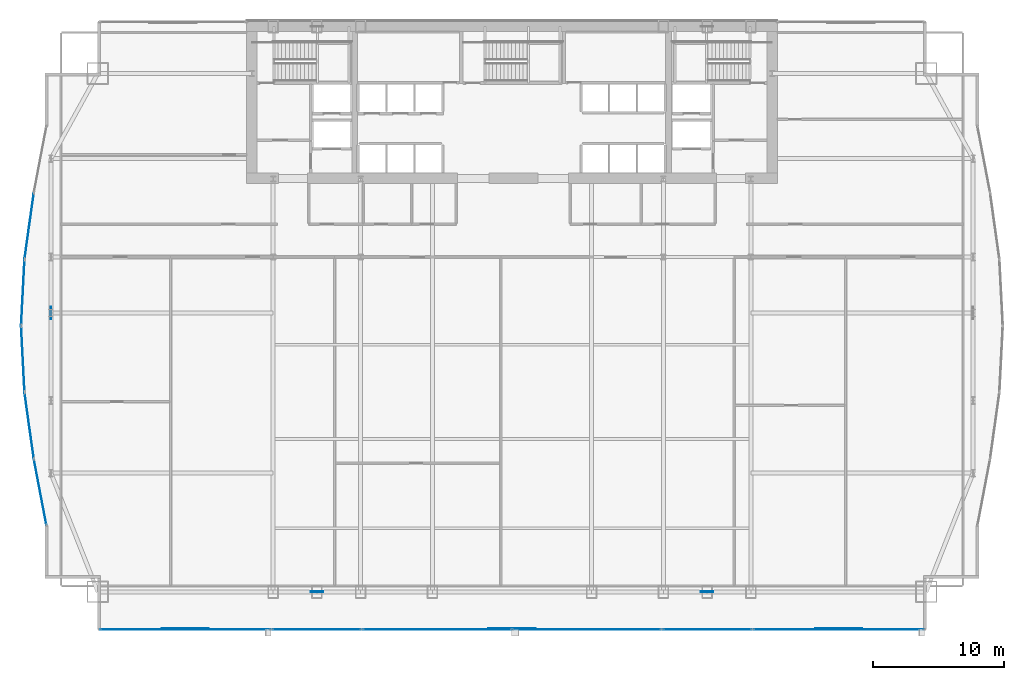
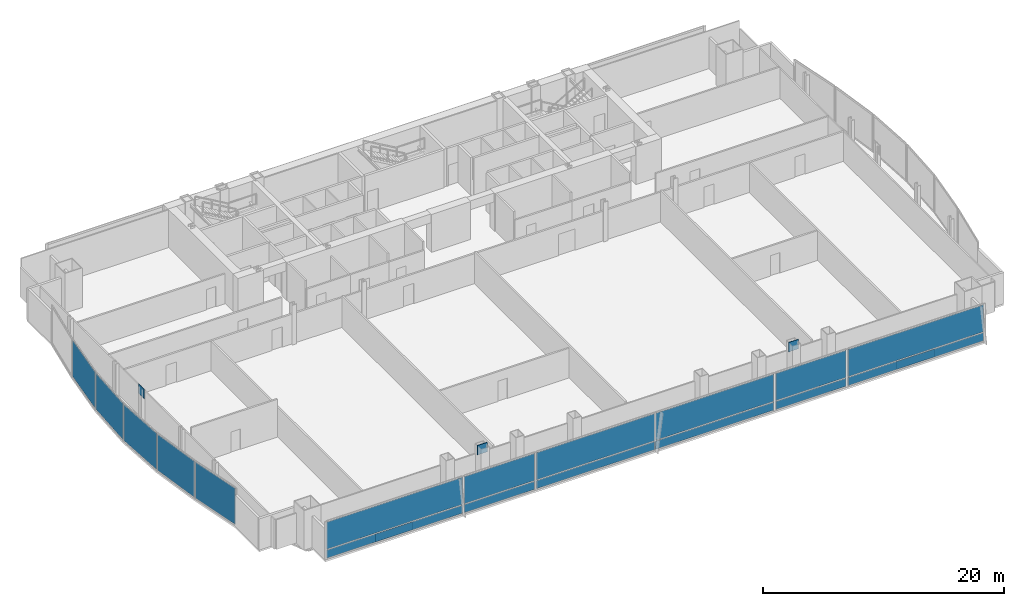
# One storey, part 27 of 37: 23 plates, 10 elements without a shape of their own.
"""IFC4 building model written with IfcOpenShell, lengths in metres."""

import ifcopenshell
import ifcopenshell.guid

model = None  # the IFC model being written
_history = None  # IfcOwnerHistory: only IFC2X3 demands one
_inside = {}  # id of a spatial element -> (the spatial element, [elements in it])
_under = {}  # id of a project, library or spatial element -> (it, [spatial elements below it])
_declared = {}  # id of a project -> (the project, [libraries it declares])
_typed = {}  # id of a type object -> (the type object, [elements of that type])
_made_of = {}  # id of a material, layer set ... -> (it, [elements and type objects made of it])


def new_model(schema):
    """Start an empty IFC model of exactly this schema.

    Asked for "IFC4X3", IfcOpenShell would pick the latest addendum, in which some entities
    have other attributes; the version numbers below select the first issue.
    IFC2X3 requires an IfcOwnerHistory on every rooted entity: one is made here for all.
    """
    global model, _history
    if schema == "IFC4X3":
        model = ifcopenshell.file(schema_version=(4, 3, 0, 0))
    else:
        model = ifcopenshell.file(schema=schema)
    _inside.clear()
    _under.clear()
    _declared.clear()
    _typed.clear()
    _made_of.clear()
    _history = None
    if model.schema == "IFC2X3":
        org = make("IfcOrganization", Name="unknown")
        user = make(
            "IfcPersonAndOrganization",
            ThePerson=make("IfcPerson", FamilyName="unknown"),
            TheOrganization=org,
        )
        app = make(
            "IfcApplication",
            ApplicationDeveloper=org,
            Version="unknown",
            ApplicationFullName="unknown",
            ApplicationIdentifier="unknown",
        )
        _history = make(
            "IfcOwnerHistory",
            OwningUser=user,
            OwningApplication=app,
            ChangeAction="ADDED",
            CreationDate=0,
        )
    return model


def make(cls, **values):
    """One entity of the class cls with the attributes given. An attribute that is None is left unset."""
    return model.create_entity(
        cls, **{name: value for name, value in values.items() if value is not None}
    )


def rooted(cls, **values):
    """An entity with a GlobalId (a new one), such as an element, a storey or a relation."""
    return make(cls, GlobalId=ifcopenshell.guid.new(), OwnerHistory=_history, **values)


def si_unit(unit_type, name, prefix=None):
    """IfcSIUnit, for example si_unit("LENGTHUNIT", "METRE", prefix="MILLI")."""
    return make("IfcSIUnit", UnitType=unit_type, Prefix=prefix, Name=name)


def assignment(units):
    """IfcUnitAssignment: the units of a project."""
    return None if units is None else make("IfcUnitAssignment", Units=units)


def point(xyz):
    """IfcCartesianPoint."""
    return None if xyz is None else make("IfcCartesianPoint", Coordinates=xyz)


def direction(xyz):
    """IfcDirection."""
    return None if xyz is None else make("IfcDirection", DirectionRatios=xyz)


def frame(location, z_axis=None, x_axis=None):
    """IfcAxis2Placement3D, a coordinate frame: its origin and axes. An axis left out is left unset."""
    return make(
        "IfcAxis2Placement3D",
        Location=point(location),
        Axis=direction(z_axis),
        RefDirection=direction(x_axis),
    )


def frame_2d(location, x_axis=None):
    """IfcAxis2Placement2D, a coordinate frame in the plane: its origin and x axis."""
    return make(
        "IfcAxis2Placement2D", Location=point(location), RefDirection=direction(x_axis)
    )


def origin():
    """The frame at (0, 0, 0) with its axes left unset."""
    return frame((0.0, 0.0, 0.0))


def origin_2d():
    """The frame at (0, 0) in the plane with its x axis left unset."""
    return frame_2d((0.0, 0.0))


def place(relative_to, where):
    """IfcLocalPlacement: puts the frame where relative to a parent placement (None: the world)."""
    return make(
        "IfcLocalPlacement", PlacementRelTo=relative_to, RelativePlacement=where
    )


def context(
    kind, dimensions, precision=None, world=None, true_north=None, identifier=None
):
    """IfcGeometricRepresentationContext, for example the 3D "Model" context."""
    return make(
        "IfcGeometricRepresentationContext",
        ContextIdentifier=identifier,
        ContextType=kind,
        CoordinateSpaceDimension=dimensions,
        Precision=precision,
        WorldCoordinateSystem=world,
        TrueNorth=true_north,
    )


def subcontext(parent, identifier, kind, view, scale=None):
    """IfcGeometricRepresentationSubContext, for example "Body" below "Model"."""
    return make(
        "IfcGeometricRepresentationSubContext",
        ContextIdentifier=identifier,
        ContextType=kind,
        ParentContext=parent,
        TargetScale=scale,
        TargetView=view,
    )


def project(units=None, contexts=None):
    """IfcProject with its units and contexts."""
    return rooted(
        "IfcProject",
        Name="project",
        RepresentationContexts=contexts,
        UnitsInContext=assignment(units),
    )


def spatial(cls, under=None, at=None, **own):
    """A site, building, storey or space (cls), placed at a placement, below another one or the project."""
    s = rooted(cls, ObjectPlacement=at, **own)
    if under is not None:
        _under.setdefault(under.id(), (under, []))[1].append(s)
    return s


def profile(cls, at=None, kind="AREA", **sizes):
    """A parametric profile (cls). Its sizes go by their IFC names, for example OverallWidth=200.0."""
    return make(cls, ProfileType=kind, Position=at, **sizes)


def rectangle(**sizes):
    """IfcRectangleProfileDef."""
    return profile("IfcRectangleProfileDef", **sizes)


def extrude(swept, where, along, depth):
    """IfcExtrudedAreaSolid: the profile swept, set in the frame where, extruded along a direction by depth."""
    return make(
        "IfcExtrudedAreaSolid",
        SweptArea=swept,
        Position=where,
        ExtrudedDirection=direction(along),
        Depth=depth,
    )


def shape(context_of_items, identifier, shape_type, items):
    """IfcShapeRepresentation: the items that make up one representation, for example the "Body"."""
    return make(
        "IfcShapeRepresentation",
        ContextOfItems=context_of_items,
        RepresentationIdentifier=identifier,
        RepresentationType=shape_type,
        Items=items,
    )


def material(Name=None, Category=None):
    """IfcMaterial."""
    return make("IfcMaterial", Name=Name, Category=Category)


def layer(
    of_material, thickness, ventilated=None, Name=None, Category=None, Priority=None
):
    """IfcMaterialLayer: one layer of a wall or slab, of a material (None: an air gap)."""
    return make(
        "IfcMaterialLayer",
        Material=of_material,
        LayerThickness=thickness,
        IsVentilated=ventilated,
        Name=Name,
        Category=Category,
        Priority=Priority,
    )


def layer_set(layers, Name=None):
    """IfcMaterialLayerSet."""
    return make("IfcMaterialLayerSet", MaterialLayers=layers, LayerSetName=Name)


def made_of(thing, what):
    """Note that an element or type object is made of a material, layer set ...; save() writes the relation."""
    if what is not None:
        _made_of.setdefault(what.id(), (what, []))[1].append(thing)
    return thing


def type_object(cls, material=None, **own):
    """A type object (cls), such as IfcWallType, which elements share."""
    return made_of(rooted(cls, **own), material)


def element(
    cls,
    number,
    at=None,
    inside=None,
    cuts=None,
    type_object=None,
    material=None,
    context=None,
    identifier="Body",
    shape_type=None,
    held_by="IfcProductDefinitionShape",
    body=None,
    shapes=None,
    **own,
):
    """One element of the class cls, such as IfcWall. Its Tag is "e" and its number.

    at: its placement. inside: the storey or other place that contains it. cuts: it is an
    opening in that element (IfcRelVoidsElement). A single representation is given by context,
    identifier, shape_type and body (its items); several are given by shapes. held_by: the class
    of the entity that holds the representations. save() writes the other relations.
    """
    e = rooted(cls, Tag="e%d" % number, ObjectPlacement=at, **own)
    if body is not None:
        shapes = [shape(context, identifier, shape_type, body)]
    if shapes is not None:
        e.Representation = make(held_by, Representations=shapes)
    if inside is not None:
        _inside.setdefault(inside.id(), (inside, []))[1].append(e)
    if cuts is not None:
        rooted(
            "IfcRelVoidsElement", RelatingBuildingElement=cuts, RelatedOpeningElement=e
        )
    if type_object is not None:
        _typed.setdefault(type_object.id(), (type_object, []))[1].append(e)
    return made_of(e, material)


def aggregate(whole, parts):
    """IfcRelAggregates: a whole, such as a stair, and the parts it consists of."""
    return rooted("IfcRelAggregates", RelatingObject=whole, RelatedObjects=parts)


def save(model, path):
    """Write the relations noted so far, then the file.

    IfcRelAggregates (storeys below a building ...), IfcRelContainedInSpatialStructure (elements
    in a storey), IfcRelDefinesByType, IfcRelAssociatesMaterial and IfcRelDeclares: one each for
    every whole, place, type object, material and project.
    """
    for whole, parts in _under.values():
        aggregate(whole, parts)
    for where, things in _inside.values():
        rooted(
            "IfcRelContainedInSpatialStructure",
            RelatedElements=things,
            RelatingStructure=where,
        )
    for kind, things in _typed.values():
        rooted("IfcRelDefinesByType", RelatedObjects=things, RelatingType=kind)
    for what, things in _made_of.values():
        rooted("IfcRelAssociatesMaterial", RelatedObjects=things, RelatingMaterial=what)
    for by, libraries in _declared.values():
        rooted("IfcRelDeclares", RelatingContext=by, RelatedDefinitions=libraries)
    model.write(path)


model = new_model("IFC4")

# Units and contexts
model_context = context("Model", 3, precision=1e-05, world=origin(), true_north=direction((0.0, 1.0)))
body_context = subcontext(model_context, "Body", "Model", "MODEL_VIEW")
ifc_project = project(units=[si_unit("LENGTHUNIT", "METRE"), si_unit("AREAUNIT", "SQUARE_METRE"), si_unit("VOLUMEUNIT", "CUBIC_METRE"), si_unit("PLANEANGLEUNIT", "RADIAN"), si_unit("MASSUNIT", "GRAM", prefix="KILO")], contexts=[model_context])

# Site, building, storey
site_placement = place(None, origin())
site = spatial("IfcSite", under=ifc_project, at=site_placement, CompositionType="ELEMENT")
building_placement = place(site_placement, origin())
building = spatial("IfcBuilding", under=site, at=building_placement, Name="Khoronbel Lancet Exchange", CompositionType="ELEMENT")
storey_placement = place(building_placement, frame((0.0, 0.0, 45.800048828125)))
storey = spatial("IfcBuildingStorey", under=building, at=storey_placement, Name="L10", CompositionType="ELEMENT", Elevation=45.800048828125)

# Curtain wall, plate
ifc_material_1 = material(Name="Low-E Solar Control Insulating Glass", Category="glass")
curtain_wall_type_1 = type_object("IfcCurtainWallType", Name="CW-4", PredefinedType="NOTDEFINED", material=ifc_material_1)
curtain_wall_1_placement = place(storey_placement, origin())
curtain_wall_1 = element("IfcCurtainWall", 1, at=curtain_wall_1_placement, inside=storey, type_object=curtain_wall_type_1, Name="Unitised curtain wall CW-L10-E05", PredefinedType="NOTDEFINED")
ifc_material_2 = material(Name="Bronze-Anodised Aluminium 6063-T6", Category="aluminium")
ifc_layer_1 = layer(ifc_material_2, 0.050048828125, Name="Bronze-Anodised Aluminium 6063-T6")
ifc_layer_set_1 = layer_set([ifc_layer_1], Name="Bronze-Anodised Aluminium 6063-T6")
plate_type_1 = type_object("IfcPlateType", Name="PLT-CSP1", PredefinedType="SHEET", material=ifc_layer_set_1)
plate_1_placement = place(storey_placement, frame((-0.3857421875, 22.836669921875, 0.0849609375), z_axis=(0.0, 0.0, 1.0), x_axis=(-0.138340202733, 0.990384767809, 0.0)))
plate_1 = element("IfcPlate", 2, at=plate_1_placement, type_object=plate_type_1, Name="CW4 panel 1.1", PredefinedType="CURTAIN_PANEL", context=body_context, shape_type="SweptSolid", body=[
    extrude(rectangle(XDim=4.9765625, YDim=0.0380859375, at=origin_2d()), origin(), (0.0, 0.0, 1.0), 3.64990234375),
])
aggregate(curtain_wall_1, [plate_1])

curtain_wall_2_placement = place(storey_placement, origin())
curtain_wall_2 = element("IfcCurtainWall", 3, at=curtain_wall_2_placement, inside=storey, type_object=curtain_wall_type_1, Name="Unitised curtain wall CW-L10-E06", PredefinedType="NOTDEFINED")
plate_2_placement = place(storey_placement, frame((-0.8701171875, 27.91259765625, 0.0849609375), z_axis=(0.0, 0.0, 1.0), x_axis=(-0.051068297252, 0.998695163208, 0.0)))
plate_2 = element("IfcPlate", 4, at=plate_2_placement, type_object=plate_type_1, Name="CW4 panel 1.1", PredefinedType="CURTAIN_PANEL", context=body_context, shape_type="SweptSolid", body=[
    extrude(rectangle(XDim=4.931396484375, YDim=0.0380859375, at=origin_2d()), origin(), (0.0, 0.0, 1.0), 3.64990234375),
])
aggregate(curtain_wall_2, [plate_2])

curtain_wall_3_placement = place(storey_placement, origin())
curtain_wall_3 = element("IfcCurtainWall", 5, at=curtain_wall_3_placement, inside=storey, type_object=curtain_wall_type_1, Name="Unitised curtain wall CW-L10-E07", PredefinedType="NOTDEFINED")
plate_3_placement = place(storey_placement, frame((-0.8701171875, 32.9873046875, 0.0849609375), z_axis=(0.0, 0.0, 1.0), x_axis=(0.051068297252, 0.998695163208, 0.0)))
plate_3 = element("IfcPlate", 6, at=plate_3_placement, type_object=plate_type_1, Name="CW4 panel 1.1", PredefinedType="CURTAIN_PANEL", context=body_context, shape_type="SweptSolid", body=[
    extrude(rectangle(XDim=4.931396484375, YDim=0.0380859375, at=origin_2d()), origin(), (0.0, 0.0, 1.0), 3.64990234375),
])
aggregate(curtain_wall_3, [plate_3])

curtain_wall_4_placement = place(storey_placement, origin())
curtain_wall_4 = element("IfcCurtainWall", 7, at=curtain_wall_4_placement, inside=storey, type_object=curtain_wall_type_1, Name="Unitised curtain wall CW-L10-E08", PredefinedType="NOTDEFINED")
plate_4_placement = place(storey_placement, frame((-0.3857421875, 38.0634765625, 0.0849609375), z_axis=(0.0, 0.0, 1.0), x_axis=(0.138340202733, 0.990384767809, 0.0)))
plate_4 = element("IfcPlate", 8, at=plate_4_placement, type_object=plate_type_1, Name="CW4 panel 1.1", PredefinedType="CURTAIN_PANEL", context=body_context, shape_type="SweptSolid", body=[
    extrude(rectangle(XDim=4.9765625, YDim=0.0380859375, at=origin_2d()), origin(), (0.0, 0.0, 1.0), 3.64990234375),
])
aggregate(curtain_wall_4, [plate_4])

curtain_wall_type_2 = type_object("IfcCurtainWallType", Name="CW-1", PredefinedType="NOTDEFINED", material=ifc_material_1)
curtain_wall_5_placement = place(storey_placement, origin())
curtain_wall_5 = element("IfcCurtainWall", 9, at=curtain_wall_5_placement, inside=storey, type_object=curtain_wall_type_2, Name="Unitised curtain wall CW-L10-SWV", PredefinedType="NOTDEFINED")
plate_5_placement = place(storey_placement, frame((11.52001953125, 7.35009765625, 0.0498046875), z_axis=(0.0, 0.0, 1.0), x_axis=(1.0, 0.0, 0.0)))
plate_5 = element("IfcPlate", 10, at=plate_5_placement, type_object=plate_type_1, Name="Insulated bronze spandrel cassette CW-L10-SWV", PredefinedType="SHEET", context=body_context, shape_type="SweptSolid", body=[
    extrude(rectangle(XDim=3.60009765625, YDim=0.050048828125, at=origin_2d()), origin(), (0.0, 0.0, 1.0), 0.800048828125),
])

# Curtain wall, plates
curtain_wall_6_placement = place(storey_placement, origin())
curtain_wall_6 = element("IfcCurtainWall", 11, at=curtain_wall_6_placement, inside=storey, type_object=curtain_wall_type_2, Name="Unitised curtain wall CW-L10-SWB", PredefinedType="NOTDEFINED")
plate_6_placement = place(storey_placement, frame((21.550048828125, 7.2900390625, 0.0849609375), z_axis=(0.0, 0.0, 1.0), x_axis=(1.0, 0.0, 0.0)))
plate_6 = element("IfcPlate", 12, at=plate_6_placement, type_object=plate_type_1, Name="CW1 panel 1.1", PredefinedType="CURTAIN_PANEL", context=body_context, shape_type="SweptSolid", body=[
    extrude(rectangle(XDim=6.72998046875, YDim=0.0380859375, at=origin_2d()), origin(), (0.0, 0.0, 1.0), 0.822509765625),
])
plate_7_placement = place(storey_placement, frame((21.550048828125, 7.2900390625, 0.99267578125), z_axis=(0.0, 0.0, 1.0), x_axis=(1.0, 0.0, 0.0)))
plate_7 = element("IfcPlate", 13, at=plate_7_placement, type_object=plate_type_1, Name="CW1 panel 1.2", PredefinedType="CURTAIN_PANEL", context=body_context, shape_type="SweptSolid", body=[
    extrude(rectangle(XDim=6.72998046875, YDim=0.0380859375, at=origin_2d()), origin(), (0.0, 0.0, 1.0), 2.742431640625),
])
aggregate(curtain_wall_6, [plate_6, plate_7])

# Curtain wall, plate
curtain_wall_7_placement = place(storey_placement, origin())
curtain_wall_7 = element("IfcCurtainWall", 14, at=curtain_wall_7_placement, inside=storey, type_object=curtain_wall_type_2, Name="Unitised curtain wall CW-L10-SCV", PredefinedType="NOTDEFINED")
plate_8_placement = place(storey_placement, frame((36.449951171875, 7.35009765625, 0.0498046875), z_axis=(0.0, 0.0, 1.0), x_axis=(1.0, 0.0, 0.0)))
plate_8 = element("IfcPlate", 15, at=plate_8_placement, type_object=plate_type_1, Name="Insulated bronze spandrel cassette CW-L10-SCV", PredefinedType="SHEET", context=body_context, shape_type="SweptSolid", body=[
    extrude(rectangle(XDim=3.60009765625, YDim=0.050048828125, at=origin_2d()), origin(), (0.0, 0.0, 1.0), 0.800048828125),
])

# Curtain wall, plates
curtain_wall_8_placement = place(storey_placement, origin())
curtain_wall_8 = element("IfcCurtainWall", 16, at=curtain_wall_8_placement, inside=storey, type_object=curtain_wall_type_2, Name="Unitised curtain wall CW-L10-SEB", PredefinedType="NOTDEFINED")
plate_9_placement = place(storey_placement, frame((51.35009765625, 7.2900390625, 0.0849609375), z_axis=(0.0, 0.0, 1.0), x_axis=(1.0, 0.0, 0.0)))
plate_9 = element("IfcPlate", 17, at=plate_9_placement, type_object=plate_type_1, Name="CW1 panel 1.1", PredefinedType="CURTAIN_PANEL", context=body_context, shape_type="SweptSolid", body=[
    extrude(rectangle(XDim=6.72998046875, YDim=0.0380859375, at=origin_2d()), origin(), (0.0, 0.0, 1.0), 0.822509765625),
])
plate_10_placement = place(storey_placement, frame((51.35009765625, 7.2900390625, 0.99267578125), z_axis=(0.0, 0.0, 1.0), x_axis=(1.0, 0.0, 0.0)))
plate_10 = element("IfcPlate", 18, at=plate_10_placement, type_object=plate_type_1, Name="CW1 panel 1.2", PredefinedType="CURTAIN_PANEL", context=body_context, shape_type="SweptSolid", body=[
    extrude(rectangle(XDim=6.72998046875, YDim=0.0380859375, at=origin_2d()), origin(), (0.0, 0.0, 1.0), 2.742431640625),
])
aggregate(curtain_wall_8, [plate_9, plate_10])

# Curtain wall, plate
curtain_wall_9_placement = place(storey_placement, origin())
curtain_wall_9 = element("IfcCurtainWall", 19, at=curtain_wall_9_placement, inside=storey, type_object=curtain_wall_type_2, Name="Unitised curtain wall CW-L10-SEV", PredefinedType="NOTDEFINED")
plate_11_placement = place(storey_placement, frame((61.3798828125, 7.35009765625, 0.0498046875), z_axis=(0.0, 0.0, 1.0), x_axis=(1.0, 0.0, 0.0)))
plate_11 = element("IfcPlate", 20, at=plate_11_placement, type_object=plate_type_1, Name="Insulated bronze spandrel cassette CW-L10-SEV", PredefinedType="SHEET", context=body_context, shape_type="SweptSolid", body=[
    extrude(rectangle(XDim=3.60009765625, YDim=0.050048828125, at=origin_2d()), origin(), (0.0, 0.0, 1.0), 0.800048828125),
])

# Plate
ifc_layer_2 = layer(ifc_material_1, 0.035888671875, Name="Low-E Solar Control Insulating Glass")
ifc_layer_set_2 = layer_set([ifc_layer_2], Name="Low-E Solar Control Insulating Glass")
plate_type_2 = type_object("IfcPlateType", Name="PLT-CWP1", PredefinedType="CURTAIN_PANEL", material=ifc_layer_set_2)
plate_12_placement = place(storey_placement, frame((11.52001953125, 7.2900390625, 0.0849609375), z_axis=(0.0, 0.0, 1.0), x_axis=(1.0, 0.0, 0.0)))
plate_12 = element("IfcPlate", 21, at=plate_12_placement, type_object=plate_type_2, Name="CW1 panel 1.1", PredefinedType="CURTAIN_PANEL", context=body_context, shape_type="SweptSolid", body=[
    extrude(rectangle(XDim=12.989990234375, YDim=0.0380859375, at=origin_2d()), origin(), (0.0, 0.0, 1.0), 0.822509765625),
])

plate_13_placement = place(storey_placement, frame((11.52001953125, 7.2900390625, 0.99267578125), z_axis=(0.0, 0.0, 1.0), x_axis=(1.0, 0.0, 0.0)))
plate_13 = element("IfcPlate", 22, at=plate_13_placement, type_object=plate_type_2, Name="CW1 panel 1.2", PredefinedType="CURTAIN_PANEL", context=body_context, shape_type="SweptSolid", body=[
    extrude(rectangle(XDim=12.989990234375, YDim=0.0380859375, at=origin_2d()), origin(), (0.0, 0.0, 1.0), 2.742431640625),
])

aggregate(curtain_wall_5, [plate_12, plate_13, plate_5])

plate_14_placement = place(storey_placement, frame((30.746337890625, 7.2900390625, 0.0849609375), z_axis=(0.0, 0.0, 1.0), x_axis=(1.0, 0.0, 0.0)))
plate_14 = element("IfcPlate", 23, at=plate_14_placement, type_object=plate_type_2, Name="CW1 panel 1.1", PredefinedType="CURTAIN_PANEL", context=body_context, shape_type="SweptSolid", body=[
    extrude(rectangle(XDim=11.322509765625, YDim=0.0380859375, at=origin_2d()), origin(), (0.0, 0.0, 1.0), 0.822509765625),
])

plate_15_placement = place(storey_placement, frame((30.746337890625, 7.2900390625, 0.99267578125), z_axis=(0.0, 0.0, 1.0), x_axis=(1.0, 0.0, 0.0)))
plate_15 = element("IfcPlate", 24, at=plate_15_placement, type_object=plate_type_2, Name="CW1 panel 1.2", PredefinedType="CURTAIN_PANEL", context=body_context, shape_type="SweptSolid", body=[
    extrude(rectangle(XDim=11.322509765625, YDim=0.0380859375, at=origin_2d()), origin(), (0.0, 0.0, 1.0), 2.742431640625),
])

plate_16_placement = place(storey_placement, frame((42.15380859375, 7.2900390625, 0.0849609375), z_axis=(0.0, 0.0, 1.0), x_axis=(1.0, 0.0, 0.0)))
plate_16 = element("IfcPlate", 25, at=plate_16_placement, type_object=plate_type_2, Name="CW1 panel 2.1", PredefinedType="CURTAIN_PANEL", context=body_context, shape_type="SweptSolid", body=[
    extrude(rectangle(XDim=11.322509765625, YDim=0.0380859375, at=origin_2d()), origin(), (0.0, 0.0, 1.0), 0.822509765625),
])

plate_17_placement = place(storey_placement, frame((42.15380859375, 7.2900390625, 0.99267578125), z_axis=(0.0, 0.0, 1.0), x_axis=(1.0, 0.0, 0.0)))
plate_17 = element("IfcPlate", 26, at=plate_17_placement, type_object=plate_type_2, Name="CW1 panel 2.2", PredefinedType="CURTAIN_PANEL", context=body_context, shape_type="SweptSolid", body=[
    extrude(rectangle(XDim=11.322509765625, YDim=0.0380859375, at=origin_2d()), origin(), (0.0, 0.0, 1.0), 2.742431640625),
])

aggregate(curtain_wall_7, [plate_14, plate_15, plate_16, plate_17, plate_8])

plate_18_placement = place(storey_placement, frame((61.3798828125, 7.2900390625, 0.0849609375), z_axis=(0.0, 0.0, 1.0), x_axis=(1.0, 0.0, 0.0)))
plate_18 = element("IfcPlate", 27, at=plate_18_placement, type_object=plate_type_2, Name="CW1 panel 1.1", PredefinedType="CURTAIN_PANEL", context=body_context, shape_type="SweptSolid", body=[
    extrude(rectangle(XDim=12.989990234375, YDim=0.0380859375, at=origin_2d()), origin(), (0.0, 0.0, 1.0), 0.822509765625),
])

plate_19_placement = place(storey_placement, frame((61.3798828125, 7.2900390625, 0.99267578125), z_axis=(0.0, 0.0, 1.0), x_axis=(1.0, 0.0, 0.0)))
plate_19 = element("IfcPlate", 28, at=plate_19_placement, type_object=plate_type_2, Name="CW1 panel 1.2", PredefinedType="CURTAIN_PANEL", context=body_context, shape_type="SweptSolid", body=[
    extrude(rectangle(XDim=12.989990234375, YDim=0.0380859375, at=origin_2d()), origin(), (0.0, 0.0, 1.0), 2.742431640625),
])

aggregate(curtain_wall_9, [plate_18, plate_19, plate_11])

# Curtain wall, plate
curtain_wall_10_placement = place(storey_placement, origin())
curtain_wall_10 = element("IfcCurtainWall", 29, at=curtain_wall_10_placement, inside=storey, type_object=curtain_wall_type_1, Name="Unitised curtain wall CW-L10-E04", PredefinedType="NOTDEFINED")
ifc_material_3 = material(Name="Ceramic-Fritted Laminated Insulating Glass", Category="glass")
ifc_layer_3 = layer(ifc_material_3, 0.0419921875, Name="Ceramic-Fritted Laminated Insulating Glass")
ifc_layer_set_3 = layer_set([ifc_layer_3], Name="Ceramic-Fritted Laminated Insulating Glass")
plate_type_3 = type_object("IfcPlateType", Name="PLT-CWP2", PredefinedType="CURTAIN_PANEL", material=ifc_layer_set_3)
plate_20_placement = place(storey_placement, frame((0.454345703125, 17.753173828125, 0.0849609375), z_axis=(0.0, 0.0, 1.0), x_axis=(-0.187423391996, 0.982279223099, 0.0)))
plate_20 = element("IfcPlate", 30, at=plate_20_placement, type_object=plate_type_3, Name="CW4 panel 1.1", PredefinedType="CURTAIN_PANEL", context=body_context, shape_type="SweptSolid", body=[
    extrude(rectangle(XDim=5.03125, YDim=0.0380859375, at=origin_2d()), origin(), (0.0, 0.0, 1.0), 3.64990234375),
])
aggregate(curtain_wall_10, [plate_20])

# Plates
ifc_material_4 = material(Name="Steel S460", Category="steel")
ifc_layer_4 = layer(ifc_material_4, 0.06005859375, Name="Steel S460")
ifc_layer_set_4 = layer_set([ifc_layer_4], Name="Steel S460")
plate_type_4 = type_object("IfcPlateType", Name="PLT-ND1", PredefinedType="USERDEFINED", material=ifc_layer_set_4)
for number, where, z_axis, x_axis, name in (
    (31, (21.5625, 10.14990234375, 3.1748046875), (0.0, 0.0, 1.0), (1.0, 0.0, 0.0), "ND1 perimeter brace node gusset T02-S-W"),
    (32, (51.33740234375, 10.14990234375, 3.1748046875), (0.0, 0.0, 1.0), (1.0, 0.0, 0.0), "ND1 perimeter brace node gusset T02-S-E"),
    (33, (1.27001953125, 31.425048828125, 3.1748046875), (0.0, 0.0, 1.0), (0.0, 1.0, 0.0), "ND1 perimeter brace node gusset T02-W-P"),
):
    element("IfcPlate", number, at=place(storey_placement, frame(where, z_axis=z_axis, x_axis=x_axis)), inside=storey, type_object=plate_type_4, Name=name, ObjectType="GUSSET_PLATE", PredefinedType="USERDEFINED", context=body_context, shape_type="SweptSolid", body=[
        extrude(rectangle(XDim=0.949951171875, YDim=0.06005859375, at=origin_2d()), origin(), (0.0, 0.0, 1.0), 0.949951171875),
    ])

save(model, "model.ifc")
